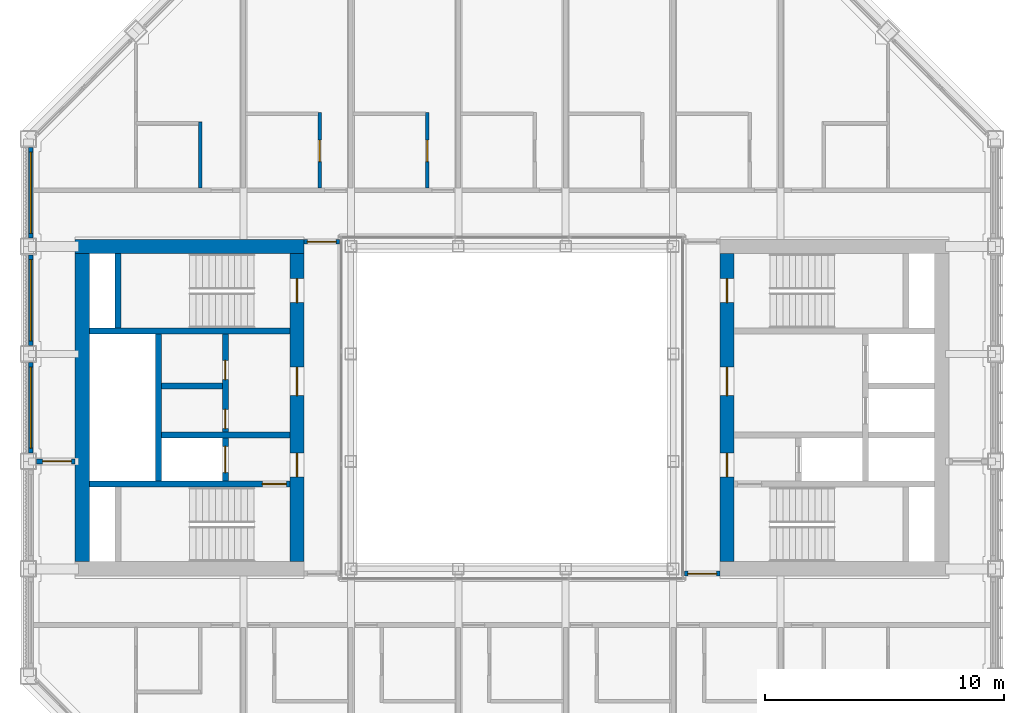
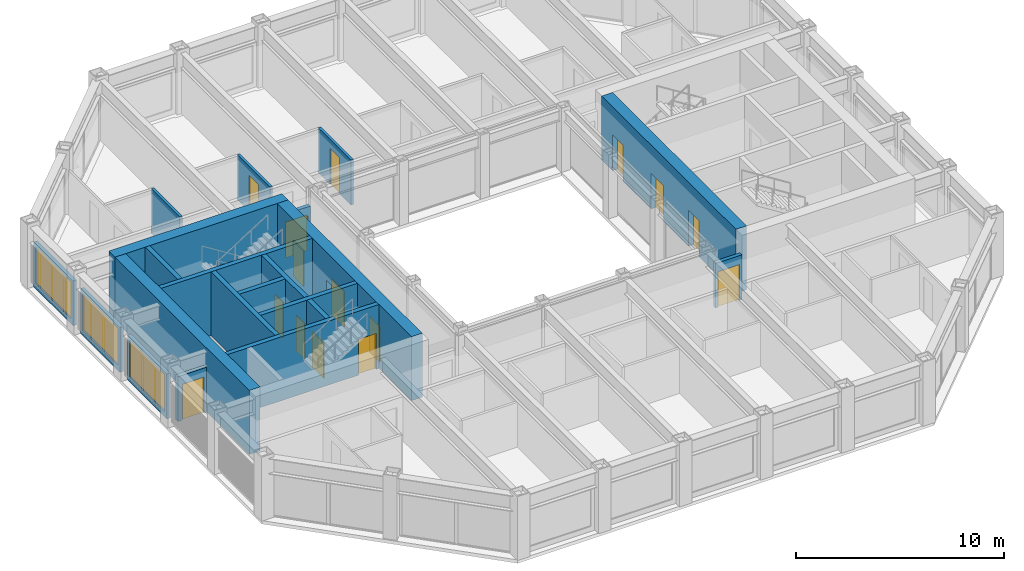
# One storey, part 10 of 18: 20 walls, 15 doors, 3 windows, 18 openings.
"""IFC4 building model written with IfcOpenShell, lengths in metres."""

from ifc_helpers import new_model, si_unit, direction, frame, frame_2d, origin, place, context, subcontext, project, spatial, rectangle, extrude, material, layer, layer_set, type_object, element, fill, save


model = new_model("IFC4")

# Units and contexts
model_context = context("Model", 3, precision=1e-05, world=origin(), true_north=direction((0.0, 1.0)))
body_context = subcontext(model_context, "Body", "Model", "MODEL_VIEW")
ifc_project = project(units=[si_unit("LENGTHUNIT", "METRE"), si_unit("AREAUNIT", "SQUARE_METRE"), si_unit("VOLUMEUNIT", "CUBIC_METRE"), si_unit("PLANEANGLEUNIT", "RADIAN"), si_unit("MASSUNIT", "GRAM", prefix="KILO")], contexts=[model_context])

# Site, building, storey
site_placement = place(None, origin())
site = spatial("IfcSite", under=ifc_project, at=site_placement, CompositionType="ELEMENT")
building_placement = place(site_placement, origin())
building = spatial("IfcBuilding", under=site, at=building_placement, Name="Msasa Ring Tower", CompositionType="ELEMENT")
storey_placement = place(building_placement, frame((0.0, 0.0, 200.800048828125)))
storey = spatial("IfcBuildingStorey", under=building, at=storey_placement, Name="L52", CompositionType="ELEMENT", Elevation=200.800048828125)

# Wall, openings, doors
ifc_material_1 = material(Name="Concrete C60/75", Category="concrete")
ifc_layer_1 = layer(ifc_material_1, 0.60009765625)
ifc_layer_set_1 = layer_set([ifc_layer_1], Name="CW3 CORE WALL 600")
wall_type_1 = type_object("IfcWallType", Name="CW3 CORE WALL 600", PredefinedType="SHEAR", material=ifc_layer_set_1)
wall_1_placement = place(storey_placement, frame((9.0, -6.449951171875, 0.0), z_axis=(0.0, 0.0, 1.0), x_axis=(0.0, 1.0, 0.0)))
wall_1 = element("IfcWall", 1, at=wall_1_placement, inside=storey, type_object=wall_type_1, Name="E core wall W L52", PredefinedType="SHEAR", context=body_context, shape_type="SweptSolid", body=[
    extrude(rectangle(XDim=12.89990234375, YDim=0.60009765625, at=frame_2d((6.449951171875, 0.0))), origin(), (0.0, 0.0, 1.0), 3.75),
])
opening_1_placement = place(wall_1_placement, frame((3.550048828125, 0.0, 0.0)))
opening_1 = element("IfcOpeningElement", 2, at=opening_1_placement, cuts=wall_1, Name="Opening SA-028", PredefinedType="OPENING", context=body_context, shape_type="SweptSolid", body=[
    extrude(rectangle(XDim=1.0, YDim=2.10009765625, at=frame_2d((0.5, 1.050048828125))), frame((0.0, 0.31005859375, 0.0), z_axis=(0.0, -1.0, 0.0), x_axis=(1.0, 0.0, 0.0)), (0.0, 0.0, 1.0), 0.6201171875),
])
opening_2_placement = place(wall_1_placement, frame((6.949951171875, 0.0, 0.0)))
opening_2 = element("IfcOpeningElement", 3, at=opening_2_placement, cuts=wall_1, Name="Opening SA-023", PredefinedType="OPENING", context=body_context, shape_type="SweptSolid", body=[
    extrude(rectangle(XDim=1.199951171875, YDim=2.10009765625, at=frame_2d((0.60009765625, 1.050048828125))), frame((0.0, 0.31005859375, 0.0), z_axis=(0.0, -1.0, 0.0), x_axis=(1.0, 0.0, 0.0)), (0.0, 0.0, 1.0), 0.6201171875),
])
opening_3_placement = place(wall_1_placement, frame((10.85009765625, 0.0, 0.0)))
opening_3 = element("IfcOpeningElement", 4, at=opening_3_placement, cuts=wall_1, Name="Opening SA-020", PredefinedType="OPENING", context=body_context, shape_type="SweptSolid", body=[
    extrude(rectangle(XDim=1.0, YDim=2.10009765625, at=frame_2d((0.5, 1.050048828125))), frame((0.0, 0.31005859375, 0.0), z_axis=(0.0, -1.0, 0.0), x_axis=(1.0, 0.0, 0.0)), (0.0, 0.0, 1.0), 0.6201171875),
])
ifc_material_2 = material(Name="Timber door leaf in a steel frame", Category="steel")
door_type_1 = type_object("IfcDoorType", Name="D4 LOBBY DOOR 1000x2100", OperationType="SINGLE_SWING_LEFT", PredefinedType="DOOR", material=ifc_material_2)
door_1_placement = place(opening_1_placement, origin())
door_1 = element("IfcDoor", 5, at=door_1_placement, inside=storey, type_object=door_type_1, Name="Door L52-EFFL", OperationType="SINGLE_SWING_LEFT", OverallHeight=2.10009765625, OverallWidth=1.0, PredefinedType="DOOR", context=body_context, shape_type="SweptSolid", body=[
    extrude(rectangle(XDim=1.0, YDim=2.10009765625, at=frame_2d((0.5, 1.050048828125))), frame((0.0, 0.02490234375, 0.0), z_axis=(0.0, -1.0, 0.0), x_axis=(1.0, 0.0, 0.0)), (0.0, 0.0, 1.0), 0.050048828125),
])
fill(opening_1, door_1)
ifc_material_3 = material(Name="Timber door leaf in a steel frame", Category="steel")
door_type_2 = type_object("IfcDoorType", Name="D5 WIDE LOBBY DOOR 1200x2100", OperationType="SINGLE_SWING_LEFT", PredefinedType="DOOR", material=ifc_material_3)
door_2_placement = place(opening_2_placement, origin())
door_2 = element("IfcDoor", 6, at=door_2_placement, inside=storey, type_object=door_type_2, Name="Door L52-ELL", OperationType="SINGLE_SWING_RIGHT", OverallHeight=2.10009765625, OverallWidth=1.199951171875, PredefinedType="DOOR", context=body_context, shape_type="SweptSolid", body=[
    extrude(rectangle(XDim=1.199951171875, YDim=2.10009765625, at=frame_2d((0.60009765625, 1.050048828125))), frame((0.0, 0.02490234375, 0.0), z_axis=(0.0, -1.0, 0.0), x_axis=(1.0, 0.0, 0.0)), (0.0, 0.0, 1.0), 0.050048828125),
])
fill(opening_2, door_2)
ifc_material_4 = material(Name="Timber door leaf in a steel frame", Category="steel")
door_type_3 = type_object("IfcDoorType", Name="D6 STAIR DOOR 1000x2100", OperationType="SINGLE_SWING_LEFT", PredefinedType="DOOR", material=ifc_material_4)
door_3_placement = place(opening_3_placement, origin())
door_3 = element("IfcDoor", 7, at=door_3_placement, inside=storey, type_object=door_type_3, Name="Door L52-ESTB", OperationType="SINGLE_SWING_RIGHT", OverallHeight=2.10009765625, OverallWidth=1.0, PredefinedType="DOOR", context=body_context, shape_type="SweptSolid", body=[
    extrude(rectangle(XDim=1.0, YDim=2.10009765625, at=frame_2d((0.5, 1.050048828125))), frame((0.0, 0.02490234375, 0.0), z_axis=(0.0, -1.0, 0.0), x_axis=(1.0, 0.0, 0.0)), (0.0, 0.0, 1.0), 0.050048828125),
])
fill(opening_3, door_3)

# Wall
wall_2_placement = place(storey_placement, frame((-8.699951171875, 6.75, 0.0), z_axis=(0.0, 0.0, 1.0), x_axis=(-1.0, 0.0, 0.0)))
element("IfcWall", 8, at=wall_2_placement, inside=storey, type_object=wall_type_1, Name="W core wall N L52", PredefinedType="SHEAR", context=body_context, shape_type="SweptSolid", body=[
    extrude(rectangle(XDim=9.60009765625, YDim=0.60009765625, at=frame_2d((4.800048828125, 0.0))), origin(), (0.0, 0.0, 1.0), 3.75),
])

# Wall, openings, doors
wall_3_placement = place(storey_placement, frame((-9.0, -6.449951171875, 0.0), z_axis=(0.0, 0.0, 1.0), x_axis=(0.0, 1.0, 0.0)))
wall_3 = element("IfcWall", 9, at=wall_3_placement, inside=storey, type_object=wall_type_1, Name="W core wall W L52", PredefinedType="SHEAR", context=body_context, shape_type="SweptSolid", body=[
    extrude(rectangle(XDim=12.89990234375, YDim=0.60009765625, at=frame_2d((6.449951171875, 0.0))), origin(), (0.0, 0.0, 1.0), 3.75),
])
opening_4_placement = place(wall_3_placement, frame((3.550048828125, 0.0, 0.0)))
opening_4 = element("IfcOpeningElement", 10, at=opening_4_placement, cuts=wall_3, Name="Opening SA-027", PredefinedType="OPENING", context=body_context, shape_type="SweptSolid", body=[
    extrude(rectangle(XDim=1.0, YDim=2.10009765625, at=frame_2d((0.5, 1.050048828125))), frame((0.0, 0.31005859375, 0.0), z_axis=(0.0, -1.0, 0.0), x_axis=(1.0, 0.0, 0.0)), (0.0, 0.0, 1.0), 0.6201171875),
])
opening_5_placement = place(wall_3_placement, frame((6.949951171875, 0.0, 0.0)))
opening_5 = element("IfcOpeningElement", 11, at=opening_5_placement, cuts=wall_3, Name="Opening SA-022", PredefinedType="OPENING", context=body_context, shape_type="SweptSolid", body=[
    extrude(rectangle(XDim=1.199951171875, YDim=2.10009765625, at=frame_2d((0.60009765625, 1.050048828125))), frame((0.0, 0.31005859375, 0.0), z_axis=(0.0, -1.0, 0.0), x_axis=(1.0, 0.0, 0.0)), (0.0, 0.0, 1.0), 0.6201171875),
])
opening_6_placement = place(wall_3_placement, frame((10.85009765625, 0.0, 0.0)))
opening_6 = element("IfcOpeningElement", 12, at=opening_6_placement, cuts=wall_3, Name="Opening SA-019", PredefinedType="OPENING", context=body_context, shape_type="SweptSolid", body=[
    extrude(rectangle(XDim=1.0, YDim=2.10009765625, at=frame_2d((0.5, 1.050048828125))), frame((0.0, 0.31005859375, 0.0), z_axis=(0.0, -1.0, 0.0), x_axis=(1.0, 0.0, 0.0)), (0.0, 0.0, 1.0), 0.6201171875),
])
door_4_placement = place(opening_4_placement, origin())
door_4 = element("IfcDoor", 13, at=door_4_placement, inside=storey, type_object=door_type_1, Name="Door L52-WFFL", OperationType="SINGLE_SWING_LEFT", OverallHeight=2.10009765625, OverallWidth=1.0, PredefinedType="DOOR", context=body_context, shape_type="SweptSolid", body=[
    extrude(rectangle(XDim=1.0, YDim=2.10009765625, at=frame_2d((0.5, 1.050048828125))), frame((0.0, 0.02490234375, 0.0), z_axis=(0.0, -1.0, 0.0), x_axis=(1.0, 0.0, 0.0)), (0.0, 0.0, 1.0), 0.050048828125),
])
fill(opening_4, door_4)
door_5_placement = place(opening_5_placement, origin())
door_5 = element("IfcDoor", 14, at=door_5_placement, inside=storey, type_object=door_type_2, Name="Door L52-WLL", OperationType="SINGLE_SWING_RIGHT", OverallHeight=2.10009765625, OverallWidth=1.199951171875, PredefinedType="DOOR", context=body_context, shape_type="SweptSolid", body=[
    extrude(rectangle(XDim=1.199951171875, YDim=2.10009765625, at=frame_2d((0.60009765625, 1.050048828125))), frame((0.0, 0.02490234375, 0.0), z_axis=(0.0, -1.0, 0.0), x_axis=(1.0, 0.0, 0.0)), (0.0, 0.0, 1.0), 0.050048828125),
])
fill(opening_5, door_5)
door_6_placement = place(opening_6_placement, origin())
door_6 = element("IfcDoor", 15, at=door_6_placement, inside=storey, type_object=door_type_3, Name="Door L52-WSTB", OperationType="SINGLE_SWING_RIGHT", OverallHeight=2.10009765625, OverallWidth=1.0, PredefinedType="DOOR", context=body_context, shape_type="SweptSolid", body=[
    extrude(rectangle(XDim=1.0, YDim=2.10009765625, at=frame_2d((0.5, 1.050048828125))), frame((0.0, 0.02490234375, 0.0), z_axis=(0.0, -1.0, 0.0), x_axis=(1.0, 0.0, 0.0)), (0.0, 0.0, 1.0), 0.050048828125),
])
fill(opening_6, door_6)

# Wall
wall_4_placement = place(storey_placement, frame((-18.0, -6.449951171875, 0.0), z_axis=(0.0, 0.0, 1.0), x_axis=(0.0, 1.0, 0.0)))
element("IfcWall", 16, at=wall_4_placement, inside=storey, type_object=wall_type_1, Name="W core wall E L52", PredefinedType="SHEAR", context=body_context, shape_type="SweptSolid", body=[
    extrude(rectangle(XDim=12.89990234375, YDim=0.60009765625, at=frame_2d((6.449951171875, 0.0))), origin(), (0.0, 0.0, 1.0), 3.75),
])

# Wall, opening, door
ifc_material_5 = material(Name="Concrete C60/75", Category="concrete")
ifc_layer_2 = layer(ifc_material_5, 0.25)
ifc_layer_set_2 = layer_set([ifc_layer_2], Name="CW4 CORE INNER WALL 250")
wall_type_2 = type_object("IfcWallType", Name="CW4 CORE INNER WALL 250", PredefinedType="SHEAR", material=ifc_layer_set_2)
wall_5_placement = place(storey_placement, frame((-9.300048828125, -3.199951171875, 0.0), z_axis=(0.0, 0.0, 1.0), x_axis=(-1.0, 0.0, 0.0)))
wall_5 = element("IfcWall", 17, at=wall_5_placement, inside=storey, type_object=wall_type_2, Name="W core wall STAIRA L52", PredefinedType="SHEAR", context=body_context, shape_type="SweptSolid", body=[
    extrude(rectangle(XDim=8.39990234375, YDim=0.25, at=frame_2d((4.199951171875, 0.0))), origin(), (0.0, 0.0, 1.0), 3.75),
])
opening_7_placement = place(wall_5_placement, frame((0.14990234375, 0.0, 0.0)))
opening_7 = element("IfcOpeningElement", 18, at=opening_7_placement, cuts=wall_5, Name="Opening SA-029", PredefinedType="OPENING", context=body_context, shape_type="SweptSolid", body=[
    extrude(rectangle(XDim=1.0, YDim=2.10009765625, at=frame_2d((0.5, 1.050048828125))), frame((0.0, 0.135009765625, 0.0), z_axis=(0.0, -1.0, 0.0), x_axis=(1.0, 0.0, 0.0)), (0.0, 0.0, 1.0), 0.27001953125),
])
door_7_placement = place(opening_7_placement, origin())
door_7 = element("IfcDoor", 19, at=door_7_placement, inside=storey, type_object=door_type_3, Name="Door L52-WSTA", OperationType="SINGLE_SWING_LEFT", OverallHeight=2.10009765625, OverallWidth=1.0, PredefinedType="DOOR", context=body_context, shape_type="SweptSolid", body=[
    extrude(rectangle(XDim=1.0, YDim=2.10009765625, at=frame_2d((0.5, 1.050048828125))), frame((0.0, 0.02490234375, 0.0), z_axis=(0.0, -1.0, 0.0), x_axis=(1.0, 0.0, 0.0)), (0.0, 0.0, 1.0), 0.050048828125),
])
fill(opening_7, door_7)

# Walls
wall_6_placement = place(storey_placement, frame((-9.300048828125, 3.199951171875, 0.0), z_axis=(0.0, 0.0, 1.0), x_axis=(-1.0, 0.0, 0.0)))
element("IfcWall", 20, at=wall_6_placement, inside=storey, type_object=wall_type_2, Name="W core wall STAIRB L52", PredefinedType="SHEAR", context=body_context, shape_type="SweptSolid", body=[
    extrude(rectangle(XDim=8.39990234375, YDim=0.25, at=frame_2d((4.199951171875, 0.0))), origin(), (0.0, 0.0, 1.0), 3.75),
])
wall_7_placement = place(storey_placement, frame((-16.5, 3.324951171875, 0.0), z_axis=(0.0, 0.0, 1.0), x_axis=(0.0, 1.0, 0.0)))
element("IfcWall", 21, at=wall_7_placement, inside=storey, type_object=wall_type_2, Name="W core wall RISERB L52", PredefinedType="SHEAR", context=body_context, shape_type="SweptSolid", body=[
    extrude(rectangle(XDim=3.125, YDim=0.25, at=frame_2d((1.5625, 0.0))), origin(), (0.0, 0.0, 1.0), 3.75),
])
wall_8_placement = place(storey_placement, frame((-9.300048828125, -1.14990234375, 0.0), z_axis=(0.0, 0.0, 1.0), x_axis=(-1.0, 0.0, 0.0)))
element("IfcWall", 22, at=wall_8_placement, inside=storey, type_object=wall_type_2, Name="W core wall FFL L52", PredefinedType="SHEAR", context=body_context, shape_type="SweptSolid", body=[
    extrude(rectangle(XDim=5.375, YDim=0.25, at=frame_2d((2.6875, 0.0))), origin(), (0.0, 0.0, 1.0), 3.75),
])

# Wall, openings, doors
wall_9_placement = place(storey_placement, frame((-12.0, -3.074951171875, 0.0), z_axis=(0.0, 0.0, 1.0), x_axis=(0.0, 1.0, 0.0)))
wall_9 = element("IfcWall", 23, at=wall_9_placement, inside=storey, type_object=wall_type_2, Name="W core wall LOBBY L52", PredefinedType="SHEAR", context=body_context, shape_type="SweptSolid", body=[
    extrude(rectangle(XDim=6.14990234375, YDim=0.25, at=frame_2d((3.074951171875, 0.0))), origin(), (0.0, 0.0, 1.0), 3.75),
])
opening_8_placement = place(wall_9_placement, frame((2.199951171875, 0.0, 0.0)))
opening_8 = element("IfcOpeningElement", 24, at=opening_8_placement, cuts=wall_9, Name="Opening SA-024", PredefinedType="OPENING", context=body_context, shape_type="SweptSolid", body=[
    extrude(rectangle(XDim=0.800048828125, YDim=2.10009765625, at=frame_2d((0.39990234375, 1.050048828125))), frame((0.0, 0.135009765625, 0.0), z_axis=(0.0, -1.0, 0.0), x_axis=(1.0, 0.0, 0.0)), (0.0, 0.0, 1.0), 0.27001953125),
])
opening_9_placement = place(wall_9_placement, frame((4.25, 0.0, 0.0)))
opening_9 = element("IfcOpeningElement", 25, at=opening_9_placement, cuts=wall_9, Name="Opening SA-021", PredefinedType="OPENING", context=body_context, shape_type="SweptSolid", body=[
    extrude(rectangle(XDim=0.800048828125, YDim=2.10009765625, at=frame_2d((0.39990234375, 1.050048828125))), frame((0.0, 0.135009765625, 0.0), z_axis=(0.0, -1.0, 0.0), x_axis=(1.0, 0.0, 0.0)), (0.0, 0.0, 1.0), 0.27001953125),
])
opening_10_placement = place(wall_9_placement, frame((0.35009765625, 0.0, 0.0)))
opening_10 = element("IfcOpeningElement", 26, at=opening_10_placement, cuts=wall_9, Name="Opening LD1", PredefinedType="OPENING", context=body_context, shape_type="SweptSolid", body=[
    extrude(rectangle(XDim=1.10009765625, YDim=2.10009765625, at=frame_2d((0.550048828125, 1.050048828125))), frame((0.0, 0.135009765625, 0.0), z_axis=(0.0, -1.0, 0.0), x_axis=(1.0, 0.0, 0.0)), (0.0, 0.0, 1.0), 0.27001953125),
])
ifc_material_6 = material(Name="Timber door leaf in a steel frame", Category="steel")
door_type_4 = type_object("IfcDoorType", Name="D9 NARROW SERVICE DOOR 800x2100", OperationType="SINGLE_SWING_LEFT", PredefinedType="DOOR", material=ifc_material_6)
door_8_placement = place(opening_8_placement, origin())
door_8 = element("IfcDoor", 27, at=door_8_placement, inside=storey, type_object=door_type_4, Name="Door L52-WR1", OperationType="SINGLE_SWING_LEFT", OverallHeight=2.10009765625, OverallWidth=0.800048828125, PredefinedType="DOOR", context=body_context, shape_type="SweptSolid", body=[
    extrude(rectangle(XDim=0.800048828125, YDim=2.10009765625, at=frame_2d((0.39990234375, 1.050048828125))), frame((0.0, 0.02490234375, 0.0), z_axis=(0.0, -1.0, 0.0), x_axis=(1.0, 0.0, 0.0)), (0.0, 0.0, 1.0), 0.050048828125),
])
fill(opening_8, door_8)
door_9_placement = place(opening_9_placement, origin())
door_9 = element("IfcDoor", 28, at=door_9_placement, inside=storey, type_object=door_type_4, Name="Door L52-WR2", OperationType="SINGLE_SWING_RIGHT", OverallHeight=2.10009765625, OverallWidth=0.800048828125, PredefinedType="DOOR", context=body_context, shape_type="SweptSolid", body=[
    extrude(rectangle(XDim=0.800048828125, YDim=2.10009765625, at=frame_2d((0.39990234375, 1.050048828125))), frame((0.0, 0.02490234375, 0.0), z_axis=(0.0, -1.0, 0.0), x_axis=(1.0, 0.0, 0.0)), (0.0, 0.0, 1.0), 0.050048828125),
])
fill(opening_9, door_9)
ifc_material_7 = material(Name="Stainless steel lift landing door", Category="steel")
door_type_5 = type_object("IfcDoorType", Name="LD1 LIFT LANDING DOOR 1100x2100", OperationType="DOUBLE_DOOR_SLIDING", PredefinedType="DOOR", material=ifc_material_7)
door_10_placement = place(opening_10_placement, origin())
door_10 = element("IfcDoor", 29, at=door_10_placement, inside=storey, type_object=door_type_5, Name="Lift landing door FL-W L52", OperationType="DOUBLE_DOOR_SLIDING", OverallHeight=2.10009765625, OverallWidth=1.10009765625, PredefinedType="DOOR", context=body_context, shape_type="SweptSolid", body=[
    extrude(rectangle(XDim=1.10009765625, YDim=2.10009765625, at=frame_2d((0.550048828125, 1.050048828125))), frame((0.0, 0.02490234375, 0.0), z_axis=(0.0, -1.0, 0.0), x_axis=(1.0, 0.0, 0.0)), (0.0, 0.0, 1.0), 0.050048828125),
])
fill(opening_10, door_10)

# Walls
wall_10_placement = place(storey_placement, frame((-14.800048828125, -3.074951171875, 0.0), z_axis=(0.0, 0.0, 1.0), x_axis=(0.0, 1.0, 0.0)))
element("IfcWall", 30, at=wall_10_placement, inside=storey, type_object=wall_type_2, Name="W core wall SHAFT L52", PredefinedType="SHEAR", context=body_context, shape_type="SweptSolid", body=[
    extrude(rectangle(XDim=6.14990234375, YDim=0.25, at=frame_2d((3.074951171875, 0.0))), origin(), (0.0, 0.0, 1.0), 3.75),
])
wall_11_placement = place(storey_placement, frame((-12.125, 0.89990234375, 0.0), z_axis=(0.0, 0.0, 1.0), x_axis=(-1.0, 0.0, 0.0)))
element("IfcWall", 31, at=wall_11_placement, inside=storey, type_object=wall_type_2, Name="W core wall LIFT1 L52", PredefinedType="SHEAR", context=body_context, shape_type="SweptSolid", body=[
    extrude(rectangle(XDim=2.550048828125, YDim=0.25, at=frame_2d((1.27490234375, 0.0))), origin(), (0.0, 0.0, 1.0), 3.75),
])

# Wall, opening, window
ifc_material_8 = material(Name="Terracotta rainscreen on blockwork", Category="masonry")
ifc_layer_3 = layer(ifc_material_8, 0.199951171875)
ifc_layer_set_3 = layer_set([ifc_layer_3], Name="FW1 TERRACOTTA-LINED INFILL BAY WALL 200")
wall_type_3 = type_object("IfcWallType", Name="FW1 TERRACOTTA-LINED INFILL BAY WALL 200", PredefinedType="SOLIDWALL", material=ifc_layer_set_3)
wall_12_placement = place(storey_placement, frame((-20.14990234375, -1.89501953125, 0.0), z_axis=(0.0, 0.0, 1.0), x_axis=(0.0, 1.0, 0.0)))
wall_12 = element("IfcWall", 32, at=wall_12_placement, inside=storey, type_object=wall_type_3, Name="Infill bay wall W L52 23", PredefinedType="SOLIDWALL", context=body_context, shape_type="SweptSolid", body=[
    extrude(rectangle(XDim=3.7900390625, YDim=0.199951171875, at=frame_2d((1.89501953125, 0.0))), origin(), (0.0, 0.0, 1.0), 2.62890625),
])
opening_11_placement = place(wall_12_placement, frame((0.195068359375, 0.0, 0.300048828125)))
opening_11 = element("IfcOpeningElement", 33, at=opening_11_placement, cuts=wall_12, Name="Opening WN3", PredefinedType="OPENING", context=body_context, shape_type="SweptSolid", body=[
    extrude(rectangle(XDim=3.39990234375, YDim=2.178955078125, at=frame_2d((1.699951171875, 1.08935546875))), frame((0.0, 0.10986328125, 0.0), z_axis=(0.0, -1.0, 0.0), x_axis=(1.0, 0.0, 0.0)), (0.0, 0.0, 1.0), 0.219970703125),
])
ifc_material_9 = material(Name="Aluminium frame with clear glass", Category="aluminium")
window_type = type_object("IfcWindowType", Name="WN3 SUITE WINDOW 3400x2179", PartitioningType="SINGLE_PANEL", PredefinedType="WINDOW", material=ifc_material_9)
window_1_placement = place(opening_11_placement, origin())
window_1 = element("IfcWindow", 34, at=window_1_placement, inside=storey, type_object=window_type, Name="Window W L52 23", OverallHeight=2.178955078125, OverallWidth=3.39990234375, PartitioningType="SINGLE_PANEL", PredefinedType="WINDOW", context=body_context, shape_type="SweptSolid", body=[
    extrude(rectangle(XDim=3.39990234375, YDim=2.178955078125, at=frame_2d((1.699951171875, 1.08935546875))), frame((0.0, 0.030029296875, 0.0), z_axis=(0.0, -1.0, 0.0), x_axis=(1.0, 0.0, 0.0)), (0.0, 0.0, 1.0), 0.06005859375),
])
fill(opening_11, window_1)

wall_13_placement = place(storey_placement, frame((-20.14990234375, 2.60498046875, 0.0), z_axis=(0.0, 0.0, 1.0), x_axis=(0.0, 1.0, 0.0)))
wall_13 = element("IfcWall", 35, at=wall_13_placement, inside=storey, type_object=wall_type_3, Name="Infill bay wall W L52 24", PredefinedType="SOLIDWALL", context=body_context, shape_type="SweptSolid", body=[
    extrude(rectangle(XDim=3.7900390625, YDim=0.199951171875, at=frame_2d((1.89501953125, 0.0))), origin(), (0.0, 0.0, 1.0), 2.62890625),
])
opening_12_placement = place(wall_13_placement, frame((0.195068359375, 0.0, 0.300048828125)))
opening_12 = element("IfcOpeningElement", 36, at=opening_12_placement, cuts=wall_13, Name="Opening WN3", PredefinedType="OPENING", context=body_context, shape_type="SweptSolid", body=[
    extrude(rectangle(XDim=3.39990234375, YDim=2.178955078125, at=frame_2d((1.699951171875, 1.08935546875))), frame((0.0, 0.10986328125, 0.0), z_axis=(0.0, -1.0, 0.0), x_axis=(1.0, 0.0, 0.0)), (0.0, 0.0, 1.0), 0.219970703125),
])
window_2_placement = place(opening_12_placement, origin())
window_2 = element("IfcWindow", 37, at=window_2_placement, inside=storey, type_object=window_type, Name="Window W L52 24", OverallHeight=2.178955078125, OverallWidth=3.39990234375, PartitioningType="SINGLE_PANEL", PredefinedType="WINDOW", context=body_context, shape_type="SweptSolid", body=[
    extrude(rectangle(XDim=3.39990234375, YDim=2.178955078125, at=frame_2d((1.699951171875, 1.08935546875))), frame((0.0, 0.030029296875, 0.0), z_axis=(0.0, -1.0, 0.0), x_axis=(1.0, 0.0, 0.0)), (0.0, 0.0, 1.0), 0.06005859375),
])
fill(opening_12, window_2)

wall_14_placement = place(storey_placement, frame((-20.14990234375, 7.10498046875, 0.0), z_axis=(0.0, 0.0, 1.0), x_axis=(0.0, 1.0, 0.0)))
wall_14 = element("IfcWall", 38, at=wall_14_placement, inside=storey, type_object=wall_type_3, Name="Infill bay wall W L52 25", PredefinedType="SOLIDWALL", context=body_context, shape_type="SweptSolid", body=[
    extrude(rectangle(XDim=3.7900390625, YDim=0.199951171875, at=frame_2d((1.89501953125, 0.0))), origin(), (0.0, 0.0, 1.0), 2.62890625),
])
opening_13_placement = place(wall_14_placement, frame((0.195068359375, 0.0, 0.300048828125)))
opening_13 = element("IfcOpeningElement", 39, at=opening_13_placement, cuts=wall_14, Name="Opening WN3", PredefinedType="OPENING", context=body_context, shape_type="SweptSolid", body=[
    extrude(rectangle(XDim=3.39990234375, YDim=2.178955078125, at=frame_2d((1.699951171875, 1.08935546875))), frame((0.0, 0.10986328125, 0.0), z_axis=(0.0, -1.0, 0.0), x_axis=(1.0, 0.0, 0.0)), (0.0, 0.0, 1.0), 0.219970703125),
])
window_3_placement = place(opening_13_placement, origin())
window_3 = element("IfcWindow", 40, at=window_3_placement, inside=storey, type_object=window_type, Name="Window W L52 25", OverallHeight=2.178955078125, OverallWidth=3.39990234375, PartitioningType="SINGLE_PANEL", PredefinedType="WINDOW", context=body_context, shape_type="SweptSolid", body=[
    extrude(rectangle(XDim=3.39990234375, YDim=2.178955078125, at=frame_2d((1.699951171875, 1.08935546875))), frame((0.0, 0.030029296875, 0.0), z_axis=(0.0, -1.0, 0.0), x_axis=(1.0, 0.0, 0.0)), (0.0, 0.0, 1.0), 0.06005859375),
])
fill(opening_13, window_3)

# Wall, opening, door
ifc_material_10 = material(Name="Concrete blockwork", Category="masonry")
ifc_layer_4 = layer(ifc_material_10, 0.199951171875)
ifc_layer_set_4 = layer_set([ifc_layer_4], Name="PT1 CORRIDOR WALL 200")
wall_type_4 = type_object("IfcWallType", Name="PT1 CORRIDOR WALL 200", PredefinedType="PARTITIONING", material=ifc_layer_set_4)
wall_15_placement = place(storey_placement, frame((-19.89990234375, -2.25, 0.0), z_axis=(0.0, 0.0, 1.0), x_axis=(1.0, 0.0, 0.0)))
wall_15 = element("IfcWall", 41, at=wall_15_placement, inside=storey, type_object=wall_type_4, Name="Corridor wall L52-WSW", PredefinedType="PARTITIONING", context=body_context, shape_type="SweptSolid", body=[
    extrude(rectangle(XDim=1.599853515625, YDim=0.199951171875, at=frame_2d((0.7998046875, 0.0))), origin(), (0.0, 0.0, 1.0), 2.62890625),
])
opening_14_placement = place(wall_15_placement, frame((0.25, 0.0, 0.0)))
opening_14 = element("IfcOpeningElement", 42, at=opening_14_placement, cuts=wall_15, Name="Opening SA-025", PredefinedType="OPENING", context=body_context, shape_type="SweptSolid", body=[
    extrude(rectangle(XDim=1.199951171875, YDim=2.10009765625, at=frame_2d((0.60009765625, 1.050048828125))), frame((0.0, 0.10986328125, 0.0), z_axis=(0.0, -1.0, 0.0), x_axis=(1.0, 0.0, 0.0)), (0.0, 0.0, 1.0), 0.219970703125),
])
ifc_material_11 = material(Name="Timber door leaf in a steel frame", Category="steel")
door_type_6 = type_object("IfcDoorType", Name="D25 CORRIDOR PAIR OF SMOKE DOORS 1200x2100", OperationType="DOUBLE_DOOR_DOUBLE_SWING", PredefinedType="DOOR", material=ifc_material_11)
door_11_placement = place(opening_14_placement, origin())
door_11 = element("IfcDoor", 43, at=door_11_placement, inside=storey, type_object=door_type_6, Name="Door L52-WSW", OperationType="DOUBLE_DOOR_DOUBLE_SWING", OverallHeight=2.10009765625, OverallWidth=1.199951171875, PredefinedType="DOOR", context=body_context, shape_type="SweptSolid", body=[
    extrude(rectangle(XDim=1.199951171875, YDim=2.10009765625, at=frame_2d((0.60009765625, 1.050048828125))), frame((0.0, 0.02490234375, 0.0), z_axis=(0.0, -1.0, 0.0), x_axis=(1.0, 0.0, 0.0)), (0.0, 0.0, 1.0), 0.050048828125),
])
fill(opening_14, door_11)

wall_16_placement = place(storey_placement, frame((7.22998046875, -6.949951171875, 0.0), z_axis=(0.0, 0.0, 1.0), x_axis=(1.0, 0.0, 0.0)))
wall_16 = element("IfcWall", 44, at=wall_16_placement, inside=storey, type_object=wall_type_4, Name="Corridor wall L52-SDES", PredefinedType="PARTITIONING", context=body_context, shape_type="SweptSolid", body=[
    extrude(rectangle(XDim=1.469970703125, YDim=0.199951171875, at=frame_2d((0.73486328125, 0.0))), origin(), (0.0, 0.0, 1.0), 2.62890625),
])
opening_15_placement = place(wall_16_placement, frame((0.135009765625, 0.0, 0.0)))
opening_15 = element("IfcOpeningElement", 45, at=opening_15_placement, cuts=wall_16, Name="Opening SA-032", PredefinedType="OPENING", context=body_context, shape_type="SweptSolid", body=[
    extrude(rectangle(XDim=1.199951171875, YDim=2.10009765625, at=frame_2d((0.60009765625, 1.050048828125))), frame((0.0, 0.10986328125, 0.0), z_axis=(0.0, -1.0, 0.0), x_axis=(1.0, 0.0, 0.0)), (0.0, 0.0, 1.0), 0.219970703125),
])
door_12_placement = place(opening_15_placement, origin())
door_12 = element("IfcDoor", 46, at=door_12_placement, inside=storey, type_object=door_type_6, Name="Door L52-SDES", OperationType="DOUBLE_DOOR_DOUBLE_SWING", OverallHeight=2.10009765625, OverallWidth=1.199951171875, PredefinedType="DOOR", context=body_context, shape_type="SweptSolid", body=[
    extrude(rectangle(XDim=1.199951171875, YDim=2.10009765625, at=frame_2d((0.60009765625, 1.050048828125))), frame((0.0, 0.02490234375, 0.0), z_axis=(0.0, -1.0, 0.0), x_axis=(1.0, 0.0, 0.0)), (0.0, 0.0, 1.0), 0.050048828125),
])
fill(opening_15, door_12)

wall_17_placement = place(storey_placement, frame((-8.699951171875, 6.949951171875, 0.0), z_axis=(0.0, 0.0, 1.0), x_axis=(1.0, 0.0, 0.0)))
wall_17 = element("IfcWall", 47, at=wall_17_placement, inside=storey, type_object=wall_type_4, Name="Corridor wall L52-SDWN", PredefinedType="PARTITIONING", context=body_context, shape_type="SweptSolid", body=[
    extrude(rectangle(XDim=1.469970703125, YDim=0.199951171875, at=frame_2d((0.73486328125, 0.0))), origin(), (0.0, 0.0, 1.0), 2.62890625),
])
opening_16_placement = place(wall_17_placement, frame((0.135009765625, 0.0, 0.0)))
opening_16 = element("IfcOpeningElement", 48, at=opening_16_placement, cuts=wall_17, Name="Opening SA-017", PredefinedType="OPENING", context=body_context, shape_type="SweptSolid", body=[
    extrude(rectangle(XDim=1.199951171875, YDim=2.10009765625, at=frame_2d((0.60009765625, 1.050048828125))), frame((0.0, 0.10986328125, 0.0), z_axis=(0.0, -1.0, 0.0), x_axis=(1.0, 0.0, 0.0)), (0.0, 0.0, 1.0), 0.219970703125),
])
door_13_placement = place(opening_16_placement, origin())
door_13 = element("IfcDoor", 49, at=door_13_placement, inside=storey, type_object=door_type_6, Name="Door L52-SDWN", OperationType="DOUBLE_DOOR_DOUBLE_SWING", OverallHeight=2.10009765625, OverallWidth=1.199951171875, PredefinedType="DOOR", context=body_context, shape_type="SweptSolid", body=[
    extrude(rectangle(XDim=1.199951171875, YDim=2.10009765625, at=frame_2d((0.60009765625, 1.050048828125))), frame((0.0, 0.02490234375, 0.0), z_axis=(0.0, -1.0, 0.0), x_axis=(1.0, 0.0, 0.0)), (0.0, 0.0, 1.0), 0.050048828125),
])
fill(opening_16, door_13)

ifc_material_12 = material(Name="Moisture-resistant board on steel studs with a concealed cistern and pipe void, tiled", Category="steel")
ifc_layer_5 = layer(ifc_material_12, 0.14990234375)
ifc_layer_set_5 = layer_set([ifc_layer_5], Name="PT4 BATHROOM WET WALL 150")
wall_type_5 = type_object("IfcWallType", Name="PT4 BATHROOM WET WALL 150", PredefinedType="PARTITIONING", material=ifc_layer_set_5)
wall_18_placement = place(storey_placement, frame((-8.050048828125, 9.199951171875, 0.0), z_axis=(0.0, 0.0, 1.0), x_axis=(0.0, 1.0, 0.0)))
wall_18 = element("IfcWall", 50, at=wall_18_placement, inside=storey, type_object=wall_type_5, Name="Partition L52-JN00BX", PredefinedType="PARTITIONING", context=body_context, shape_type="SweptSolid", body=[
    extrude(rectangle(XDim=3.150146484375, YDim=0.14990234375, at=frame_2d((1.5751953125, 0.0))), origin(), (0.0, 0.0, 1.0), 2.62890625),
])
opening_17_placement = place(wall_18_placement, frame((1.10009765625, 0.0, 0.0)))
opening_17 = element("IfcOpeningElement", 51, at=opening_17_placement, cuts=wall_18, Name="Opening SA-003", PredefinedType="OPENING", context=body_context, shape_type="SweptSolid", body=[
    extrude(rectangle(XDim=0.89990234375, YDim=2.10009765625, at=frame_2d((0.449951171875, 1.050048828125))), frame((0.0, 0.0849609375, 0.0), z_axis=(0.0, -1.0, 0.0), x_axis=(1.0, 0.0, 0.0)), (0.0, 0.0, 1.0), 0.169921875),
])
ifc_material_13 = material(Name="Timber door leaf in a steel frame", Category="steel")
door_type_7 = type_object("IfcDoorType", Name="D3 BATHROOM DOOR 900x2100", OperationType="SINGLE_SWING_LEFT", PredefinedType="DOOR", material=ifc_material_13)
door_14_placement = place(opening_17_placement, origin())
door_14 = element("IfcDoor", 52, at=door_14_placement, inside=storey, type_object=door_type_7, Name="Door L52-JN00B", OperationType="SINGLE_SWING_LEFT", OverallHeight=2.10009765625, OverallWidth=0.89990234375, PredefinedType="DOOR", context=body_context, shape_type="SweptSolid", body=[
    extrude(rectangle(XDim=0.89990234375, YDim=2.10009765625, at=frame_2d((0.449951171875, 1.050048828125))), frame((0.0, 0.02490234375, 0.0), z_axis=(0.0, -1.0, 0.0), x_axis=(1.0, 0.0, 0.0)), (0.0, 0.0, 1.0), 0.050048828125),
])
fill(opening_17, door_14)

wall_19_placement = place(storey_placement, frame((-3.550048828125, 9.199951171875, 0.0), z_axis=(0.0, 0.0, 1.0), x_axis=(0.0, 1.0, 0.0)))
wall_19 = element("IfcWall", 53, at=wall_19_placement, inside=storey, type_object=wall_type_5, Name="Partition L52-JN01BX", PredefinedType="PARTITIONING", context=body_context, shape_type="SweptSolid", body=[
    extrude(rectangle(XDim=3.150146484375, YDim=0.14990234375, at=frame_2d((1.5751953125, 0.0))), origin(), (0.0, 0.0, 1.0), 2.62890625),
])
opening_18_placement = place(wall_19_placement, frame((1.10009765625, 0.0, 0.0)))
opening_18 = element("IfcOpeningElement", 54, at=opening_18_placement, cuts=wall_19, Name="Opening SA-004", PredefinedType="OPENING", context=body_context, shape_type="SweptSolid", body=[
    extrude(rectangle(XDim=0.89990234375, YDim=2.10009765625, at=frame_2d((0.449951171875, 1.050048828125))), frame((0.0, 0.0849609375, 0.0), z_axis=(0.0, -1.0, 0.0), x_axis=(1.0, 0.0, 0.0)), (0.0, 0.0, 1.0), 0.169921875),
])
door_15_placement = place(opening_18_placement, origin())
door_15 = element("IfcDoor", 55, at=door_15_placement, inside=storey, type_object=door_type_7, Name="Door L52-JN01B", OperationType="SINGLE_SWING_LEFT", OverallHeight=2.10009765625, OverallWidth=0.89990234375, PredefinedType="DOOR", context=body_context, shape_type="SweptSolid", body=[
    extrude(rectangle(XDim=0.89990234375, YDim=2.10009765625, at=frame_2d((0.449951171875, 1.050048828125))), frame((0.0, 0.02490234375, 0.0), z_axis=(0.0, -1.0, 0.0), x_axis=(1.0, 0.0, 0.0)), (0.0, 0.0, 1.0), 0.050048828125),
])
fill(opening_18, door_15)

# Wall
wall_20_placement = place(storey_placement, frame((-13.050048828125, 9.199951171875, 0.0), z_axis=(0.0, 0.0, 1.0), x_axis=(0.0, 1.0, 0.0)))
element("IfcWall", 56, at=wall_20_placement, inside=storey, type_object=wall_type_5, Name="Partition L52-CSNWBX", PredefinedType="PARTITIONING", context=body_context, shape_type="SweptSolid", body=[
    extrude(rectangle(XDim=2.75, YDim=0.14990234375, at=frame_2d((1.375, 0.0))), origin(), (0.0, 0.0, 1.0), 2.62890625),
])

save(model, "model.ifc")
